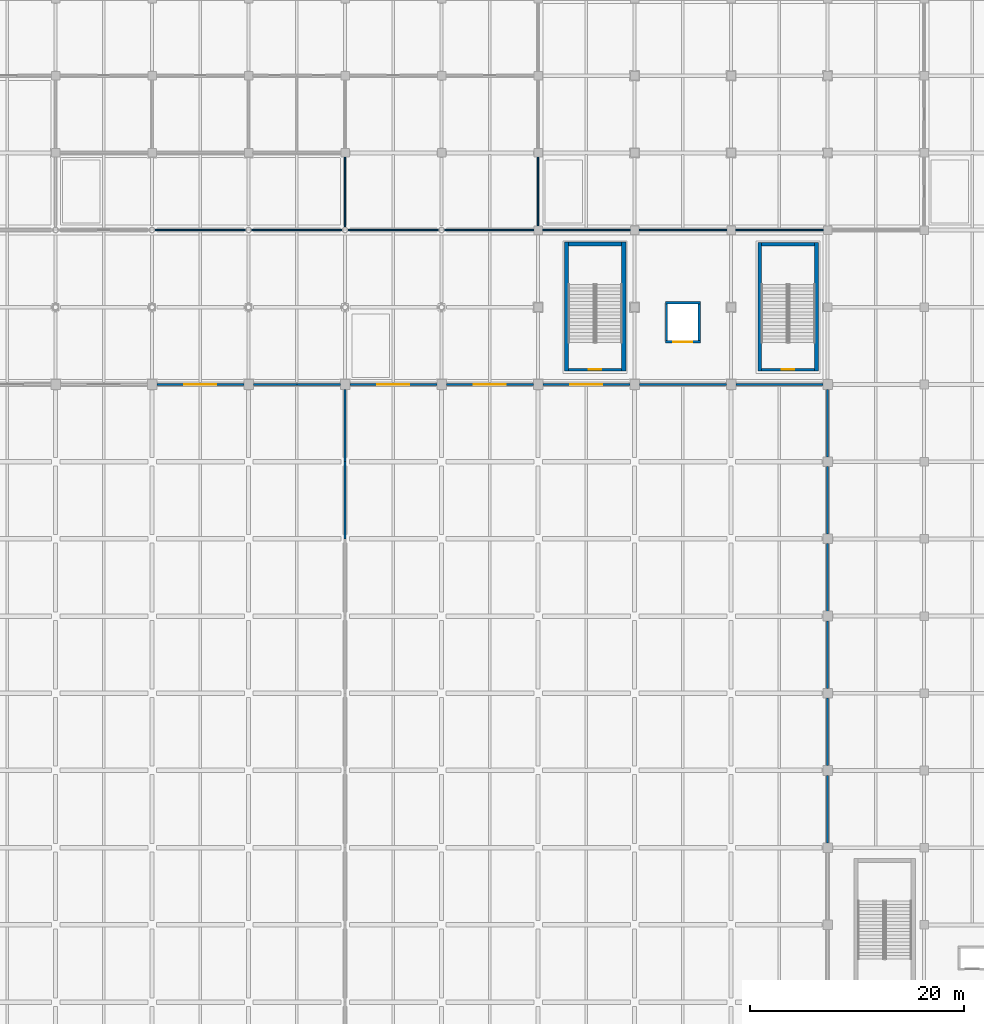
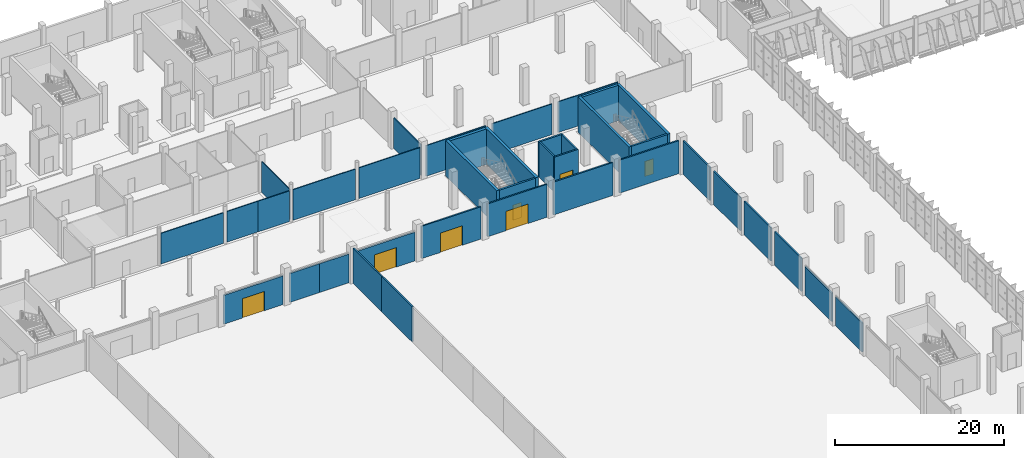
# One storey, part 90 of 137: 38 walls, 7 doors, 7 openings.
"""IFC4 building model written with IfcOpenShell, lengths in metres."""

from ifc_helpers import new_model, si_unit, direction, frame, frame_2d, origin, place, context, subcontext, project, spatial, rectangle, extrude, material, layer, layer_set, type_object, element, fill, save


model = new_model("IFC4")

# Units and contexts
model_context = context("Model", 3, precision=1e-05, world=origin(), true_north=direction((0.0, 1.0)))
body_context = subcontext(model_context, "Body", "Model", "MODEL_VIEW")
ifc_project = project(units=[si_unit("LENGTHUNIT", "METRE"), si_unit("AREAUNIT", "SQUARE_METRE"), si_unit("VOLUMEUNIT", "CUBIC_METRE"), si_unit("PLANEANGLEUNIT", "RADIAN"), si_unit("MASSUNIT", "GRAM", prefix="KILO")], contexts=[model_context])

# Site, building, storey
site_placement = place(None, origin())
site = spatial("IfcSite", under=ifc_project, at=site_placement, CompositionType="ELEMENT")
building_placement = place(site_placement, origin())
building = spatial("IfcBuilding", under=site, at=building_placement, Name="Celestram Park Convention Centre", CompositionType="ELEMENT")
storey_placement = place(building_placement, origin())
storey = spatial("IfcBuildingStorey", under=building, at=storey_placement, Name="L00", CompositionType="ELEMENT", Elevation=0.0)

# Wall, opening, door
ifc_material_1 = material(Name="Double-Stud Acoustic Gypsum Assembly", Category="gypsum")
ifc_layer_1 = layer(ifc_material_1, 0.199951171875)
ifc_layer_set_1 = layer_set([ifc_layer_1], Name="Double-Stud Acoustic Gypsum Assembly")
wall_type_1 = type_object("IfcWallType", Name="ARC-WL-ACO200", PredefinedType="PARTITIONING", material=ifc_layer_set_1)
wall_1_placement = place(storey_placement, frame((63.447998046875, 108.0, 0.0), z_axis=(0.0, 0.0, 1.0), x_axis=(1.0, 0.0, 0.0)))
wall_1 = element("IfcWall", 1, at=wall_1_placement, inside=storey, type_object=wall_type_1, Name="Interior partition WL-L00-IN0562", PredefinedType="PARTITIONING", context=body_context, shape_type="SweptSolid", body=[
    extrude(rectangle(XDim=8.10400390625, YDim=0.199951171875, at=frame_2d((4.052001953125, 0.0))), origin(), (0.0, 0.0, 1.0), 4.14990234375),
])
opening_1_placement = place(wall_1_placement, frame((2.552001953125, 0.0, 0.0)))
opening_1 = element("IfcOpeningElement", 2, at=opening_1_placement, cuts=wall_1, Name="Opening D-03", PredefinedType="OPENING", context=body_context, shape_type="SweptSolid", body=[
    extrude(rectangle(XDim=3.0, YDim=2.800048828125, at=frame_2d((1.5, 1.39990234375))), frame((0.0, 0.10986328125, 0.0), z_axis=(0.0, -1.0, 0.0), x_axis=(1.0, 0.0, 0.0)), (0.0, 0.0, 1.0), 0.219970703125),
])
ifc_material_2 = material(Name="High-Bay Exposition Hall Double Portal", Category="steel")
door_type_1 = type_object("IfcDoorType", Name="ARC-DR-EXH300", OperationType="NOTDEFINED", PredefinedType="DOOR", material=ifc_material_2)
door_1_placement = place(opening_1_placement, origin())
door_1 = element("IfcDoor", 3, at=door_1_placement, inside=storey, type_object=door_type_1, Name="Exhibition Hall B entrance door", OperationType="DOUBLE_DOOR_SINGLE_SWING", OverallHeight=2.800048828125, OverallWidth=3.0, PredefinedType="DOOR", context=body_context, shape_type="SweptSolid", body=[
    extrude(rectangle(XDim=3.0, YDim=2.800048828125, at=frame_2d((1.5, 1.39990234375))), frame((0.0, 0.02490234375, 0.0), z_axis=(0.0, -1.0, 0.0), x_axis=(1.0, 0.0, 0.0)), (0.0, 0.0, 1.0), 0.050048828125),
])
fill(opening_1, door_1)

# Walls
for number, where, z_axis, x_axis, name in (
    (4, (72.447998046875, 108.0, 0.0), (0.0, 0.0, 1.0), (1.0, 0.0, 0.0), "Interior partition WL-L00-IN0563"),
    (5, (76.5, 108.0, 0.0), (0.0, 0.0, 1.0), (1.0, 0.0, 0.0), "Interior partition WL-L00-IN0564"),
):
    element("IfcWall", number, at=place(storey_placement, frame(where, z_axis=z_axis, x_axis=x_axis)), inside=storey, type_object=wall_type_1, Name=name, PredefinedType="PARTITIONING", context=body_context, shape_type="SweptSolid", body=[
        extrude(rectangle(XDim=4.052001953125, YDim=0.199951171875, at=frame_2d((2.02587890625, 0.0))), origin(), (0.0, 0.0, 1.0), 4.14990234375),
    ])

# Wall, opening, door
wall_2_placement = place(storey_placement, frame((81.447998046875, 108.0, 0.0), z_axis=(0.0, 0.0, 1.0), x_axis=(1.0, 0.0, 0.0)))
wall_2 = element("IfcWall", 6, at=wall_2_placement, inside=storey, type_object=wall_type_1, Name="Interior partition WL-L00-IN0565", PredefinedType="PARTITIONING", context=body_context, shape_type="SweptSolid", body=[
    extrude(rectangle(XDim=8.10400390625, YDim=0.199951171875, at=frame_2d((4.052001953125, 0.0))), origin(), (0.0, 0.0, 1.0), 4.14990234375),
])
opening_2_placement = place(wall_2_placement, frame((2.552001953125, 0.0, 0.0)))
opening_2 = element("IfcOpeningElement", 7, at=opening_2_placement, cuts=wall_2, Name="Opening D-03", PredefinedType="OPENING", context=body_context, shape_type="SweptSolid", body=[
    extrude(rectangle(XDim=3.0, YDim=2.800048828125, at=frame_2d((1.5, 1.39990234375))), frame((0.0, 0.10986328125, 0.0), z_axis=(0.0, -1.0, 0.0), x_axis=(1.0, 0.0, 0.0)), (0.0, 0.0, 1.0), 0.219970703125),
])
door_2_placement = place(opening_2_placement, origin())
door_2 = element("IfcDoor", 8, at=door_2_placement, inside=storey, type_object=door_type_1, Name="Exhibition Hall C entrance door", OperationType="DOUBLE_DOOR_SINGLE_SWING", OverallHeight=2.800048828125, OverallWidth=3.0, PredefinedType="DOOR", context=body_context, shape_type="SweptSolid", body=[
    extrude(rectangle(XDim=3.0, YDim=2.800048828125, at=frame_2d((1.5, 1.39990234375))), frame((0.0, 0.02490234375, 0.0), z_axis=(0.0, -1.0, 0.0), x_axis=(1.0, 0.0, 0.0)), (0.0, 0.0, 1.0), 0.050048828125),
])
fill(opening_2, door_2)

wall_3_placement = place(storey_placement, frame((90.447998046875, 108.0, 0.0), z_axis=(0.0, 0.0, 1.0), x_axis=(1.0, 0.0, 0.0)))
wall_3 = element("IfcWall", 9, at=wall_3_placement, inside=storey, type_object=wall_type_1, Name="Interior partition WL-L00-IN0566", PredefinedType="PARTITIONING", context=body_context, shape_type="SweptSolid", body=[
    extrude(rectangle(XDim=8.10400390625, YDim=0.199951171875, at=frame_2d((4.052001953125, 0.0))), origin(), (0.0, 0.0, 1.0), 4.6630859375),
])
opening_3_placement = place(wall_3_placement, frame((2.552001953125, 0.0, 0.0)))
opening_3 = element("IfcOpeningElement", 10, at=opening_3_placement, cuts=wall_3, Name="Opening D-03", PredefinedType="OPENING", context=body_context, shape_type="SweptSolid", body=[
    extrude(rectangle(XDim=3.0, YDim=2.800048828125, at=frame_2d((1.5, 1.39990234375))), frame((0.0, 0.10986328125, 0.0), z_axis=(0.0, -1.0, 0.0), x_axis=(1.0, 0.0, 0.0)), (0.0, 0.0, 1.0), 0.219970703125),
])
door_3_placement = place(opening_3_placement, origin())
door_3 = element("IfcDoor", 11, at=door_3_placement, inside=storey, type_object=door_type_1, Name="Exhibition Hall C entrance door", OperationType="DOUBLE_DOOR_SINGLE_SWING", OverallHeight=2.800048828125, OverallWidth=3.0, PredefinedType="DOOR", context=body_context, shape_type="SweptSolid", body=[
    extrude(rectangle(XDim=3.0, YDim=2.800048828125, at=frame_2d((1.5, 1.39990234375))), frame((0.0, 0.02490234375, 0.0), z_axis=(0.0, -1.0, 0.0), x_axis=(1.0, 0.0, 0.0)), (0.0, 0.0, 1.0), 0.050048828125),
])
fill(opening_3, door_3)

wall_4_placement = place(storey_placement, frame((99.447998046875, 108.0, 0.0), z_axis=(0.0, 0.0, 1.0), x_axis=(1.0, 0.0, 0.0)))
wall_4 = element("IfcWall", 12, at=wall_4_placement, inside=storey, type_object=wall_type_1, Name="Interior partition WL-L00-IN0567", PredefinedType="PARTITIONING", context=body_context, shape_type="SweptSolid", body=[
    extrude(rectangle(XDim=8.10400390625, YDim=0.199951171875, at=frame_2d((4.052001953125, 0.0))), origin(), (0.0, 0.0, 1.0), 4.7470703125),
])
opening_4_placement = place(wall_4_placement, frame((2.552001953125, 0.0, 0.0)))
opening_4 = element("IfcOpeningElement", 13, at=opening_4_placement, cuts=wall_4, Name="Opening D-03", PredefinedType="OPENING", context=body_context, shape_type="SweptSolid", body=[
    extrude(rectangle(XDim=3.0, YDim=2.800048828125, at=frame_2d((1.5, 1.39990234375))), frame((0.0, 0.10986328125, 0.0), z_axis=(0.0, -1.0, 0.0), x_axis=(1.0, 0.0, 0.0)), (0.0, 0.0, 1.0), 0.219970703125),
])
door_4_placement = place(opening_4_placement, origin())
door_4 = element("IfcDoor", 14, at=door_4_placement, inside=storey, type_object=door_type_1, Name="Exhibition Hall C entrance door", OperationType="DOUBLE_DOOR_SINGLE_SWING", OverallHeight=2.800048828125, OverallWidth=3.0, PredefinedType="DOOR", context=body_context, shape_type="SweptSolid", body=[
    extrude(rectangle(XDim=3.0, YDim=2.800048828125, at=frame_2d((1.5, 1.39990234375))), frame((0.0, 0.02490234375, 0.0), z_axis=(0.0, -1.0, 0.0), x_axis=(1.0, 0.0, 0.0)), (0.0, 0.0, 1.0), 0.050048828125),
])
fill(opening_4, door_4)

# Walls
for number, where, z_axis, x_axis, name in (
    (15, (108.447998046875, 108.0, 0.0), (0.0, 0.0, 1.0), (1.0, 0.0, 0.0), "Interior partition WL-L00-IN0568"),
    (16, (117.447998046875, 108.0, 0.0), (0.0, 0.0, 1.0), (1.0, 0.0, 0.0), "Interior partition WL-L00-IN0569"),
):
    element("IfcWall", number, at=place(storey_placement, frame(where, z_axis=z_axis, x_axis=x_axis)), inside=storey, type_object=wall_type_1, Name=name, PredefinedType="PARTITIONING", context=body_context, shape_type="SweptSolid", body=[
        extrude(rectangle(XDim=8.10400390625, YDim=0.199951171875, at=frame_2d((4.052001953125, 0.0))), origin(), (0.0, 0.0, 1.0), 4.7470703125),
    ])
wall_5_placement = place(storey_placement, frame((81.0, 93.60009765625, 0.0), z_axis=(0.0, 0.0, 1.0), x_axis=(0.0, 1.0, 0.0)))
element("IfcWall", 17, at=wall_5_placement, inside=storey, type_object=wall_type_1, Name="Interior partition WL-L00-IN0641", PredefinedType="PARTITIONING", context=body_context, shape_type="SweptSolid", body=[
    extrude(rectangle(XDim=7.199951171875, YDim=0.199951171875, at=frame_2d((3.60009765625, 0.0))), origin(), (0.0, 0.0, 1.0), 5.080078125),
])
wall_6_placement = place(storey_placement, frame((81.0, 100.800048828125, 0.0), z_axis=(0.0, 0.0, 1.0), x_axis=(0.0, 1.0, 0.0)))
element("IfcWall", 18, at=wall_6_placement, inside=storey, type_object=wall_type_1, Name="Interior partition WL-L00-IN0642", PredefinedType="PARTITIONING", context=body_context, shape_type="SweptSolid", body=[
    extrude(rectangle(XDim=6.751953125, YDim=0.199951171875, at=frame_2d((3.3759765625, 0.0))), origin(), (0.0, 0.0, 1.0), 5.080078125),
])
for number, where, z_axis, x_axis, name in (
    (19, (126.0, 65.248046875, 0.0), (0.0, 0.0, 1.0), (0.0, 1.0, 0.0), "Interior partition WL-L00-IN0660"),
    (20, (126.0, 72.447998046875, 0.0), (0.0, 0.0, 1.0), (0.0, 1.0, 0.0), "Interior partition WL-L00-IN0661"),
):
    element("IfcWall", number, at=place(storey_placement, frame(where, z_axis=z_axis, x_axis=x_axis)), inside=storey, type_object=wall_type_1, Name=name, PredefinedType="PARTITIONING", context=body_context, shape_type="SweptSolid", body=[
        extrude(rectangle(XDim=6.303955078125, YDim=0.199951171875, at=frame_2d((3.15185546875, 0.0))), origin(), (0.0, 0.0, 1.0), 4.14990234375),
    ])
wall_7_placement = place(storey_placement, frame((126.0, 79.64794921875, 0.0), z_axis=(0.0, 0.0, 1.0), x_axis=(0.0, 1.0, 0.0)))
element("IfcWall", 21, at=wall_7_placement, inside=storey, type_object=wall_type_1, Name="Interior partition WL-L00-IN0662", PredefinedType="PARTITIONING", context=body_context, shape_type="SweptSolid", body=[
    extrude(rectangle(XDim=6.303955078125, YDim=0.199951171875, at=frame_2d((3.15185546875, 0.0))), origin(), (0.0, 0.0, 1.0), 4.820068359375),
])
wall_8_placement = place(storey_placement, frame((126.0, 86.847900390625, 0.0), z_axis=(0.0, 0.0, 1.0), x_axis=(0.0, 1.0, 0.0)))
element("IfcWall", 22, at=wall_8_placement, inside=storey, type_object=wall_type_1, Name="Interior partition WL-L00-IN0663", PredefinedType="PARTITIONING", context=body_context, shape_type="SweptSolid", body=[
    extrude(rectangle(XDim=6.30419921875, YDim=0.199951171875, at=frame_2d((3.152099609375, 0.0))), origin(), (0.0, 0.0, 1.0), 4.820068359375),
])
for number, where, z_axis, x_axis, name in (
    (23, (126.0, 94.048095703125, 0.0), (0.0, 0.0, 1.0), (0.0, 1.0, 0.0), "Interior partition WL-L00-IN0664"),
    (24, (126.0, 101.248046875, 0.0), (0.0, 0.0, 1.0), (0.0, 1.0, 0.0), "Interior partition WL-L00-IN0665"),
):
    element("IfcWall", number, at=place(storey_placement, frame(where, z_axis=z_axis, x_axis=x_axis)), inside=storey, type_object=wall_type_1, Name=name, PredefinedType="PARTITIONING", context=body_context, shape_type="SweptSolid", body=[
        extrude(rectangle(XDim=6.303955078125, YDim=0.199951171875, at=frame_2d((3.15185546875, 0.0))), origin(), (0.0, 0.0, 1.0), 4.820068359375),
    ])

# Wall, opening, door
ifc_material_3 = material(Name="Concrete Block Masonry C25/30", Category="masonry")
ifc_layer_2 = layer(ifc_material_3, 0.25)
ifc_layer_set_2 = layer_set([ifc_layer_2], Name="Concrete Block Masonry C25/30")
wall_type_2 = type_object("IfcWallType", Name="ARC-WL-COR250", PredefinedType="STANDARD", material=ifc_layer_set_2)
wall_9_placement = place(storey_placement, frame((106.800048828125, 109.375, 0.0), z_axis=(0.0, 0.0, 1.0), x_axis=(-1.0, 0.0, 0.0)))
wall_9 = element("IfcWall", 25, at=wall_9_placement, inside=storey, type_object=wall_type_2, Name="Core C3 stair entrance wall", PredefinedType="STANDARD", context=body_context, shape_type="SweptSolid", body=[
    extrude(rectangle(XDim=4.9599609375, YDim=0.25, at=frame_2d((2.47998046875, 0.0))), origin(), (0.0, 0.0, 1.0), 5.080078125),
])
opening_5_placement = place(wall_9_placement, frame((1.905029296875, 0.0, 0.0)))
opening_5 = element("IfcOpeningElement", 26, at=opening_5_placement, cuts=wall_9, Name="Opening D-ST1", PredefinedType="OPENING", context=body_context, shape_type="SweptSolid", body=[
    extrude(rectangle(XDim=1.14990234375, YDim=2.199951171875, at=frame_2d((0.574951171875, 1.10009765625))), frame((0.0, 0.135009765625, 0.0), z_axis=(0.0, -1.0, 0.0), x_axis=(1.0, 0.0, 0.0)), (0.0, 0.0, 1.0), 0.27001953125),
])
ifc_material_4 = material(Name="Fire-Rated Hollow Metal Steel ASTM A653", Category="steel")
door_type_2 = type_object("IfcDoorType", Name="ARC-DR-ST115", OperationType="NOTDEFINED", PredefinedType="DOOR", material=ifc_material_4)
door_5_placement = place(opening_5_placement, origin())
door_5 = element("IfcDoor", 27, at=door_5_placement, inside=storey, type_object=door_type_2, Name="Exit stair ST-03 fire door", OperationType="SINGLE_SWING_RIGHT", OverallHeight=2.199951171875, OverallWidth=1.14990234375, PredefinedType="DOOR", context=body_context, shape_type="SweptSolid", body=[
    extrude(rectangle(XDim=1.14990234375, YDim=2.199951171875, at=frame_2d((0.574951171875, 1.10009765625))), frame((0.0, 0.02490234375, 0.0), z_axis=(0.0, -1.0, 0.0), x_axis=(1.0, 0.0, 0.0)), (0.0, 0.0, 1.0), 0.050048828125),
])
fill(opening_5, door_5)

wall_10_placement = place(storey_placement, frame((124.800048828125, 109.375, 0.0), z_axis=(0.0, 0.0, 1.0), x_axis=(-1.0, 0.0, 0.0)))
wall_10 = element("IfcWall", 28, at=wall_10_placement, inside=storey, type_object=wall_type_2, Name="Core S20 stair entrance wall", PredefinedType="STANDARD", context=body_context, shape_type="SweptSolid", body=[
    extrude(rectangle(XDim=4.9599609375, YDim=0.25, at=frame_2d((2.47998046875, 0.0))), origin(), (0.0, 0.0, 1.0), 5.080078125),
])
opening_6_placement = place(wall_10_placement, frame((1.905029296875, 0.0, 0.0)))
opening_6 = element("IfcOpeningElement", 29, at=opening_6_placement, cuts=wall_10, Name="Opening D-ST1", PredefinedType="OPENING", context=body_context, shape_type="SweptSolid", body=[
    extrude(rectangle(XDim=1.14990234375, YDim=2.199951171875, at=frame_2d((0.574951171875, 1.10009765625))), frame((0.0, 0.135009765625, 0.0), z_axis=(0.0, -1.0, 0.0), x_axis=(1.0, 0.0, 0.0)), (0.0, 0.0, 1.0), 0.27001953125),
])
door_6_placement = place(opening_6_placement, origin())
door_6 = element("IfcDoor", 30, at=door_6_placement, inside=storey, type_object=door_type_2, Name="Exit stair ST-20 fire door", OperationType="SINGLE_SWING_RIGHT", OverallHeight=2.199951171875, OverallWidth=1.14990234375, PredefinedType="DOOR", context=body_context, shape_type="SweptSolid", body=[
    extrude(rectangle(XDim=1.14990234375, YDim=2.199951171875, at=frame_2d((0.574951171875, 1.10009765625))), frame((0.0, 0.02490234375, 0.0), z_axis=(0.0, -1.0, 0.0), x_axis=(1.0, 0.0, 0.0)), (0.0, 0.0, 1.0), 0.050048828125),
])
fill(opening_6, door_6)

# Walls
ifc_material_5 = material(Name="Standard Gypsum & Steel Stud 120 mm", Category="steel")
ifc_layer_3 = layer(ifc_material_5, 0.1201171875)
ifc_layer_set_3 = layer_set([ifc_layer_3], Name="Standard Gypsum & Steel Stud 120 mm")
wall_type_3 = type_object("IfcWallType", Name="ARC-WL-PRT120", PredefinedType="PARTITIONING", material=ifc_layer_set_3)
wall_11_placement = place(storey_placement, frame((63.25, 122.39990234375, 0.0), z_axis=(0.0, 0.0, 1.0), x_axis=(1.0, 0.0, 0.0)))
element("IfcWall", 31, at=wall_11_placement, inside=storey, type_object=wall_type_3, Name="Interior partition WL-L00-IN0573", PredefinedType="PARTITIONING", context=body_context, shape_type="SweptSolid", body=[
    extrude(rectangle(XDim=8.5, YDim=0.1201171875, at=frame_2d((4.25, 0.0))), origin(), (0.0, 0.0, 1.0), 4.424072265625),
])
for number, where, z_axis, x_axis, name in (
    (32, (72.25, 122.39990234375, 0.0), (0.0, 0.0, 1.0), (1.0, 0.0, 0.0), "Interior partition WL-L00-IN0574"),
    (33, (76.5, 122.39990234375, 0.0), (0.0, 0.0, 1.0), (1.0, 0.0, 0.0), "Interior partition WL-L00-IN0575"),
):
    element("IfcWall", number, at=place(storey_placement, frame(where, z_axis=z_axis, x_axis=x_axis)), inside=storey, type_object=wall_type_3, Name=name, PredefinedType="PARTITIONING", context=body_context, shape_type="SweptSolid", body=[
        extrude(rectangle(XDim=4.25, YDim=0.1201171875, at=frame_2d((2.125, 0.0))), origin(), (0.0, 0.0, 1.0), 4.424072265625),
    ])
wall_12_placement = place(storey_placement, frame((81.25, 122.39990234375, 0.0), z_axis=(0.0, 0.0, 1.0), x_axis=(1.0, 0.0, 0.0)))
element("IfcWall", 34, at=wall_12_placement, inside=storey, type_object=wall_type_3, Name="Interior partition WL-L00-IN0576", PredefinedType="PARTITIONING", context=body_context, shape_type="SweptSolid", body=[
    extrude(rectangle(XDim=8.5, YDim=0.1201171875, at=frame_2d((4.25, 0.0))), origin(), (0.0, 0.0, 1.0), 4.424072265625),
])
wall_13_placement = place(storey_placement, frame((90.25, 122.39990234375, 0.0), z_axis=(0.0, 0.0, 1.0), x_axis=(1.0, 0.0, 0.0)))
element("IfcWall", 35, at=wall_13_placement, inside=storey, type_object=wall_type_3, Name="Interior partition WL-L00-IN0577", PredefinedType="PARTITIONING", context=body_context, shape_type="SweptSolid", body=[
    extrude(rectangle(XDim=8.35205078125, YDim=0.1201171875, at=frame_2d((4.176025390625, 0.0))), origin(), (0.0, 0.0, 1.0), 4.424072265625),
])
for number, where, z_axis, x_axis, name in (
    (36, (99.39794921875, 122.39990234375, 0.0), (0.0, 0.0, 1.0), (1.0, 0.0, 0.0), "Interior partition WL-L00-IN0578"),
    (37, (108.39794921875, 122.39990234375, 0.0), (0.0, 0.0, 1.0), (1.0, 0.0, 0.0), "Interior partition WL-L00-IN0579"),
    (38, (117.39794921875, 122.39990234375, 0.0), (0.0, 0.0, 1.0), (1.0, 0.0, 0.0), "Interior partition WL-L00-IN0580"),
):
    element("IfcWall", number, at=place(storey_placement, frame(where, z_axis=z_axis, x_axis=x_axis)), inside=storey, type_object=wall_type_3, Name=name, PredefinedType="PARTITIONING", context=body_context, shape_type="SweptSolid", body=[
        extrude(rectangle(XDim=8.2041015625, YDim=0.1201171875, at=frame_2d((4.10205078125, 0.0))), origin(), (0.0, 0.0, 1.0), 4.424072265625),
    ])
wall_14_placement = place(storey_placement, frame((81.0, 122.64990234375, 0.0), z_axis=(0.0, 0.0, 1.0), x_axis=(0.0, 1.0, 0.0)))
element("IfcWall", 39, at=wall_14_placement, inside=storey, type_object=wall_type_3, Name="Interior partition WL-L00-IN0643", PredefinedType="PARTITIONING", context=body_context, shape_type="SweptSolid", body=[
    extrude(rectangle(XDim=6.552001953125, YDim=0.1201171875, at=frame_2d((3.27587890625, 0.0))), origin(), (0.0, 0.0, 1.0), 4.424072265625),
])
wall_15_placement = place(storey_placement, frame((99.0, 122.798095703125, 0.0), z_axis=(0.0, 0.0, 1.0), x_axis=(0.0, 1.0, 0.0)))
element("IfcWall", 40, at=wall_15_placement, inside=storey, type_object=wall_type_3, Name="Interior partition WL-L00-IN0648", PredefinedType="PARTITIONING", context=body_context, shape_type="SweptSolid", body=[
    extrude(rectangle(XDim=6.40380859375, YDim=0.1201171875, at=frame_2d((3.201904296875, 0.0))), origin(), (0.0, 0.0, 1.0), 4.43701171875),
])

# Wall, opening, door
ifc_layer_4 = layer(ifc_material_3, 0.219970703125)
ifc_layer_set_4 = layer_set([ifc_layer_4], Name="Concrete Block Masonry C25/30")
wall_type_4 = type_object("IfcWallType", Name="ARC-WL-SHF220", PredefinedType="STANDARD", material=ifc_layer_set_4)
wall_16_placement = place(storey_placement, frame((110.8701171875, 111.97998046875, 0.0), z_axis=(0.0, 0.0, 1.0), x_axis=(1.0, 0.0, 0.0)))
wall_16 = element("IfcWall", 41, at=wall_16_placement, inside=storey, type_object=wall_type_4, Name="Lift LG-01 shaft wall S", PredefinedType="STANDARD", context=body_context, shape_type="SweptSolid", body=[
    extrude(rectangle(XDim=3.259765625, YDim=0.219970703125, at=frame_2d((1.6298828125, 0.0))), origin(), (0.0, 0.0, 1.0), 5.080078125),
])
opening_7_placement = place(wall_16_placement, frame((0.72998046875, 0.0, 0.0)))
opening_7 = element("IfcOpeningElement", 42, at=opening_7_placement, cuts=wall_16, Name="Opening LD-02", PredefinedType="OPENING", context=body_context, shape_type="SweptSolid", body=[
    extrude(rectangle(XDim=1.800048828125, YDim=2.35009765625, at=frame_2d((0.89990234375, 1.175048828125))), frame((0.0, 0.119873046875, 0.0), z_axis=(0.0, -1.0, 0.0), x_axis=(1.0, 0.0, 0.0)), (0.0, 0.0, 1.0), 0.239990234375),
])
ifc_material_6 = material(Name="Heavy-Duty Stainless Steel AISI 304", Category="steel")
door_type_3 = type_object("IfcDoorType", Name="ARC-DR-LFG180", OperationType="NOTDEFINED", PredefinedType="DOOR", material=ifc_material_6)
door_7_placement = place(opening_7_placement, origin())
door_7 = element("IfcDoor", 43, at=door_7_placement, inside=storey, type_object=door_type_3, Name="Lift LG-01 sliding landing door", OperationType="DOUBLE_DOOR_SLIDING", OverallHeight=2.35009765625, OverallWidth=1.800048828125, PredefinedType="DOOR", context=body_context, shape_type="SweptSolid", body=[
    extrude(rectangle(XDim=1.800048828125, YDim=2.35009765625, at=frame_2d((0.89990234375, 1.175048828125))), frame((0.0, 0.02490234375, 0.0), z_axis=(0.0, -1.0, 0.0), x_axis=(1.0, 0.0, 0.0)), (0.0, 0.0, 1.0), 0.050048828125),
])
fill(opening_7, door_7)

# Walls
wall_17_placement = place(storey_placement, frame((114.1298828125, 115.6201171875, 0.0), z_axis=(0.0, 0.0, 1.0), x_axis=(-1.0, 0.0, 0.0)))
element("IfcWall", 44, at=wall_17_placement, inside=storey, type_object=wall_type_4, Name="Lift LG-01 shaft wall N", PredefinedType="STANDARD", context=body_context, shape_type="SweptSolid", body=[
    extrude(rectangle(XDim=3.259765625, YDim=0.219970703125, at=frame_2d((1.6298828125, 0.0))), origin(), (0.0, 0.0, 1.0), 5.080078125),
])
for number, where, z_axis, x_axis, name in (
    (45, (110.97998046875, 115.510009765625, 0.0), (0.0, 0.0, 1.0), (0.0, -1.0, 0.0), "Lift LG-01 shaft wall W"),
    (46, (114.02001953125, 112.090087890625, 0.0), (0.0, 0.0, 1.0), (0.0, 1.0, 0.0), "Lift LG-01 shaft wall E"),
):
    element("IfcWall", number, at=place(storey_placement, frame(where, z_axis=z_axis, x_axis=x_axis)), inside=storey, type_object=wall_type_4, Name=name, PredefinedType="STANDARD", context=body_context, shape_type="SweptSolid", body=[
        extrude(rectangle(XDim=3.419921875, YDim=0.219970703125, at=frame_2d((1.7099609375, 0.0))), origin(), (0.0, 0.0, 1.0), 5.080078125),
    ])
ifc_material_7 = material(Name="Concrete C40/50", Category="concrete")
ifc_layer_5 = layer(ifc_material_7, 0.340087890625)
ifc_layer_set_5 = layer_set([ifc_layer_5], Name="Concrete C40/50")
wall_type_5 = type_object("IfcWallType", Name="STR-WL-SHR340", PredefinedType="SHEAR", material=ifc_layer_set_5)
for number, where, z_axis, x_axis, name in (
    (47, (119.669921875, 109.25, 0.0), (0.0, 0.0, 1.0), (0.0, 1.0, 0.0), "Core S20 shear wall L"),
    (48, (124.969970703125, 121.239990234375, 0.0), (0.0, 0.0, 1.0), (0.0, -1.0, 0.0), "Core S20 shear wall R"),
):
    element("IfcWall", number, at=place(storey_placement, frame(where, z_axis=z_axis, x_axis=x_axis)), inside=storey, type_object=wall_type_5, Name=name, PredefinedType="SHEAR", context=body_context, shape_type="SweptSolid", body=[
        extrude(rectangle(XDim=11.989990234375, YDim=0.340087890625, at=frame_2d((5.9951171875, 0.0))), origin(), (0.0, 0.0, 1.0), 5.1201171875),
    ])
wall_18_placement = place(storey_placement, frame((119.840087890625, 121.070068359375, 0.0), z_axis=(0.0, 0.0, 1.0), x_axis=(1.0, 0.0, 0.0)))
element("IfcWall", 49, at=wall_18_placement, inside=storey, type_object=wall_type_5, Name="Core S20 shear wall F", PredefinedType="SHEAR", context=body_context, shape_type="SweptSolid", body=[
    extrude(rectangle(XDim=4.9599609375, YDim=0.340087890625, at=frame_2d((2.47998046875, 0.0))), origin(), (0.0, 0.0, 1.0), 5.1201171875),
])
ifc_layer_6 = layer(ifc_material_7, 0.3798828125)
ifc_layer_set_6 = layer_set([ifc_layer_6], Name="Concrete C40/50")
wall_type_6 = type_object("IfcWallType", Name="STR-WL-SHR380", PredefinedType="SHEAR", material=ifc_layer_set_6)
for number, where, z_axis, x_axis, name in (
    (50, (101.64990234375, 109.25, 0.0), (0.0, 0.0, 1.0), (0.0, 1.0, 0.0), "Core C3 shear wall L"),
    (51, (106.989990234375, 121.280029296875, 0.0), (0.0, 0.0, 1.0), (0.0, -1.0, 0.0), "Core C3 shear wall R"),
):
    element("IfcWall", number, at=place(storey_placement, frame(where, z_axis=z_axis, x_axis=x_axis)), inside=storey, type_object=wall_type_6, Name=name, PredefinedType="SHEAR", context=body_context, shape_type="SweptSolid", body=[
        extrude(rectangle(XDim=12.030029296875, YDim=0.3798828125, at=frame_2d((6.01513671875, 0.0))), origin(), (0.0, 0.0, 1.0), 5.1201171875),
    ])
wall_19_placement = place(storey_placement, frame((101.840087890625, 121.090087890625, 0.0), z_axis=(0.0, 0.0, 1.0), x_axis=(1.0, 0.0, 0.0)))
element("IfcWall", 52, at=wall_19_placement, inside=storey, type_object=wall_type_6, Name="Core C3 shear wall F", PredefinedType="SHEAR", context=body_context, shape_type="SweptSolid", body=[
    extrude(rectangle(XDim=4.9599609375, YDim=0.3798828125, at=frame_2d((2.47998046875, 0.0))), origin(), (0.0, 0.0, 1.0), 5.1201171875),
])

save(model, "model.ifc")
